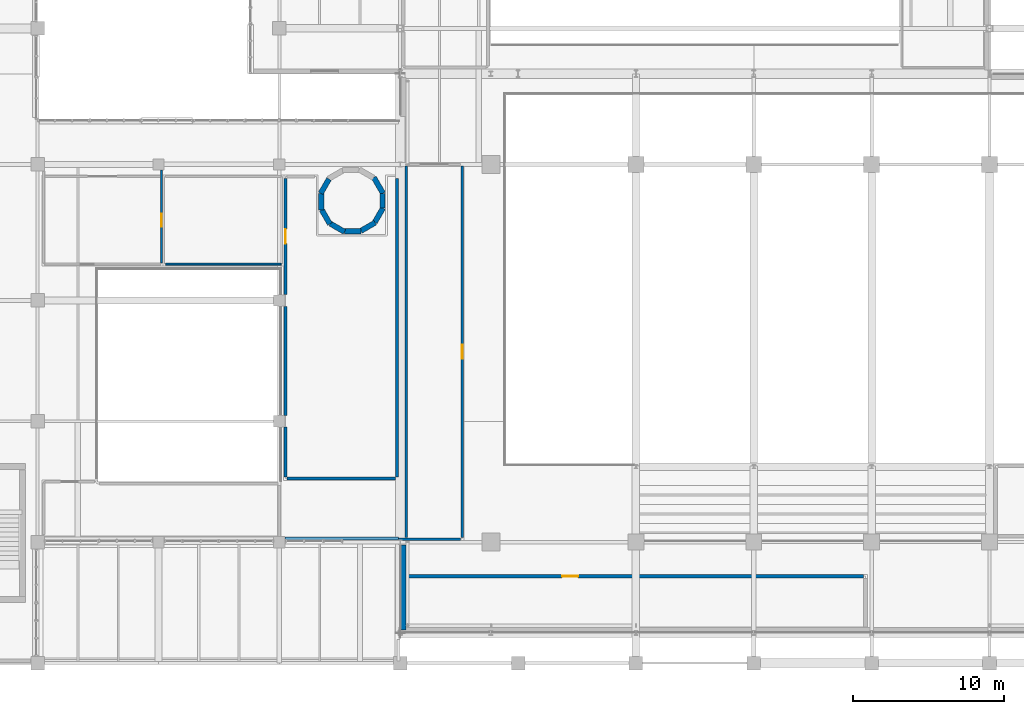
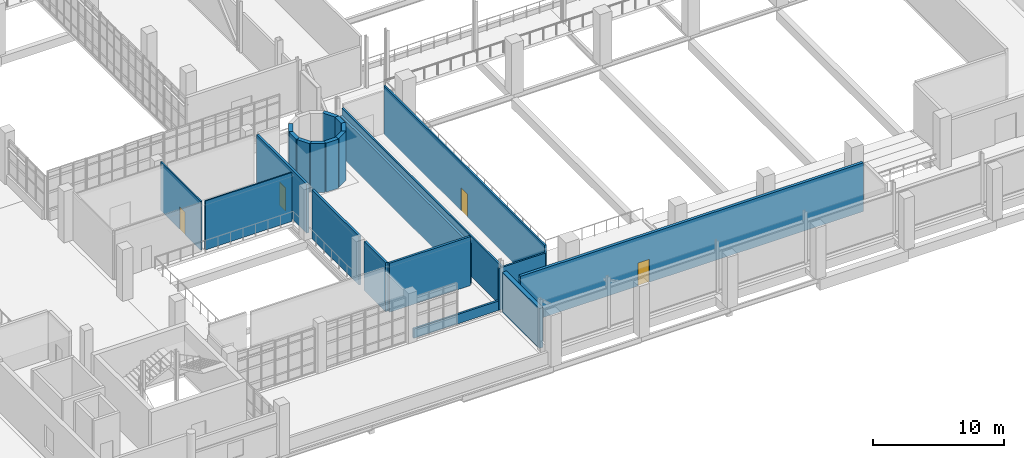
# One storey, part 90 of 102: 22 walls, 4 doors, 4 openings.
"""IFC4 building model written with IfcOpenShell, lengths in metres."""

from ifc_helpers import new_model, si_unit, derived_unit, direction, frame, frame_2d, origin, place, context, subcontext, project, spatial, rectangle, extrude, material, layer, layer_set, type_object, element, fill, save


model = new_model("IFC4")

# Units and contexts
model_context = context("Model", 3, precision=1e-05, world=origin(), true_north=direction((0.0, 1.0)))
body_context = subcontext(model_context, "Body", "Model", "MODEL_VIEW")
ifc_project = project(units=[si_unit("LENGTHUNIT", "METRE"), si_unit("AREAUNIT", "SQUARE_METRE"), si_unit("VOLUMEUNIT", "CUBIC_METRE"), si_unit("PLANEANGLEUNIT", "RADIAN"), si_unit("MASSUNIT", "GRAM", prefix="KILO"), derived_unit("THERMALTRANSMITTANCEUNIT", [(si_unit("POWERUNIT", "WATT"), 1), (si_unit("LENGTHUNIT", "METRE"), -2), (si_unit("THERMODYNAMICTEMPERATUREUNIT", "KELVIN"), -1)])], contexts=[model_context])

# Site, building, storey
site_placement = place(None, origin())
site = spatial("IfcSite", under=ifc_project, at=site_placement, CompositionType="ELEMENT")
building_placement = place(site_placement, origin())
building = spatial("IfcBuilding", under=site, at=building_placement, Name="Nallur Shell Playhouse", CompositionType="ELEMENT")
storey_placement = place(building_placement, frame((0.0, 0.0, 15.0)))
storey = spatial("IfcBuildingStorey", under=building, at=storey_placement, Name="L04", CompositionType="ELEMENT", Elevation=15.0)

# Walls
ifc_material_1 = material(Name="Concrete M45", Category="concrete")
ifc_layer_1 = layer(ifc_material_1, 0.39990234375)
ifc_layer_set_1 = layer_set([ifc_layer_1], Name="Concrete M45")
wall_type_1 = type_object("IfcWallType", Name="WL-CORE-400", PredefinedType="SHEAR", material=ifc_layer_set_1)
wall_1_placement = place(storey_placement, frame((62.861328125, 39.08642578125, 0.0), z_axis=(0.0, 0.0, 1.0), x_axis=(-0.499930512259, 0.866065518833, 0.0)))
element("IfcWall", 1, at=wall_1_placement, inside=storey, type_object=wall_type_1, Name="Metabolist service drum DR-1 facet 1 (L04)", PredefinedType="SHEAR", context=body_context, shape_type="SweptSolid", body=[
    extrude(rectangle(XDim=1.218994140625, YDim=0.35009765625, at=frame_2d((0.609375, 0.0))), origin(), (0.0, 0.0, 1.0), 4.580078125),
])
for number, where, z_axis, x_axis, name in (
    (2, (59.28515625, 40.032958984375, 0.0), (0.0, 0.0, 1.0), (-0.500102687236, -0.865966109163, 0.0), "Metabolist service drum DR-1 facet 5 (L04)"),
    (3, (58.771484375, 39.08349609375, 0.0), (0.0, 0.0, 1.0), (0.0, -1.0, 0.0), "Metabolist service drum DR-1 facet 6 (L04)"),
    (4, (58.801513671875, 38.00439453125, 0.0), (0.0, 0.0, 1.0), (0.500102687236, -0.865966109163, 0.0), "Metabolist service drum DR-1 facet 7 (L04)"),
):
    element("IfcWall", number, at=place(storey_placement, frame(where, z_axis=z_axis, x_axis=x_axis)), inside=storey, type_object=wall_type_1, Name=name, PredefinedType="SHEAR", context=body_context, shape_type="SweptSolid", body=[
        extrude(rectangle(XDim=1.093017578125, YDim=0.35009765625, at=frame_2d((0.54638671875, 0.0))), origin(), (0.0, 0.0, 1.0), 4.580078125),
    ])
wall_2_placement = place(storey_placement, frame((59.366943359375, 37.085205078125, 0.0), z_axis=(0.0, 0.0, 1.0), x_axis=(0.866021955858, -0.500005971936, 0.0)))
element("IfcWall", 5, at=wall_2_placement, inside=storey, type_object=wall_type_1, Name="Metabolist service drum DR-1 facet 8 (L04)", PredefinedType="SHEAR", context=body_context, shape_type="SweptSolid", body=[
    extrude(rectangle(XDim=1.09326171875, YDim=0.35009765625, at=frame_2d((0.546630859375, 0.0))), origin(), (0.0, 0.0, 1.0), 4.580078125),
])
for number, where, z_axis, x_axis, name in (
    (6, (60.31640625, 36.571533203125, 0.0), (0.0, 0.0, 1.0), (1.0, 0.0, 0.0), "Metabolist service drum DR-1 facet 9 (L04)"),
    (7, (61.3955078125, 36.6015625, 0.0), (0.0, 0.0, 1.0), (0.865966109163, 0.500102687236, 0.0), "Metabolist service drum DR-1 facet 10 (L04)"),
    (8, (62.31494140625, 37.1669921875, 0.0), (0.0, 0.0, 1.0), (0.499935162227, 0.866062834654, 0.0), "Metabolist service drum DR-1 facet 11 (L04)"),
):
    element("IfcWall", number, at=place(storey_placement, frame(where, z_axis=z_axis, x_axis=x_axis)), inside=storey, type_object=wall_type_1, Name=name, PredefinedType="SHEAR", context=body_context, shape_type="SweptSolid", body=[
        extrude(rectangle(XDim=1.093017578125, YDim=0.35009765625, at=frame_2d((0.54638671875, 0.0))), origin(), (0.0, 0.0, 1.0), 4.580078125),
    ])
wall_3_placement = place(storey_placement, frame((62.828369140625, 38.116455078125, 0.0), z_axis=(0.0, 0.0, 1.0), x_axis=(0.0, 1.0, 0.0)))
element("IfcWall", 9, at=wall_3_placement, inside=storey, type_object=wall_type_1, Name="Metabolist service drum DR-1 facet 12 (L04)", PredefinedType="SHEAR", context=body_context, shape_type="SweptSolid", body=[
    extrude(rectangle(XDim=0.967041015625, YDim=0.35009765625, at=frame_2d((0.4833984375, 0.0))), origin(), (0.0, 0.0, 1.0), 4.580078125),
])
ifc_material_2 = material(Name="Concrete M35", Category="concrete")
ifc_layer_2 = layer(ifc_material_2, 0.35009765625)
ifc_layer_set_2 = layer_set([ifc_layer_2], Name="Concrete M35")
wall_type_2 = type_object("IfcWallType", Name="WL-EXT-AC350", PredefinedType="STANDARD", material=ifc_layer_set_2)
wall_4_placement = place(storey_placement, frame((64.195068359375, 10.18505859375, 0.0), z_axis=(0.0, 0.0, 1.0), x_axis=(0.0, 1.0, 0.0)))
element("IfcWall", 10, at=wall_4_placement, inside=storey, type_object=wall_type_2, Name="L04 exterior wall EW-L04-192", PredefinedType="STANDARD", context=body_context, shape_type="SweptSolid", body=[
    extrude(rectangle(XDim=5.6298828125, YDim=0.35009765625, at=frame_2d((2.81494140625, 0.0))), origin(), (0.0, 0.0, 1.0), 3.735107421875),
])
ifc_layer_3 = layer(ifc_material_2, 0.179931640625)
ifc_layer_set_3 = layer_set([ifc_layer_3], Name="Concrete M35")
wall_type_3 = type_object("IfcWallType", Name="WL-PARAPET-180", PredefinedType="PARAPET", material=ifc_layer_set_3)
wall_5_placement = place(storey_placement, frame((63.8798828125, 16.239990234375, 0.0), z_axis=(0.0, 0.0, 1.0), x_axis=(-1.0, 0.0, 0.0)))
element("IfcWall", 11, at=wall_5_placement, inside=storey, type_object=wall_type_3, Name="L04 curtain-wall internal spandrel upstand 053", PredefinedType="PARAPET", context=body_context, shape_type="SweptSolid", body=[
    extrude(rectangle(XDim=7.494873046875, YDim=0.179931640625, at=frame_2d((3.74755859375, 0.0))), origin(), (0.0, 0.0, 1.0), 0.8798828125),
])
ifc_material_3 = material(Name="Concrete M30", Category="concrete")
ifc_layer_4 = layer(ifc_material_3, 0.199951171875)
ifc_layer_set_4 = layer_set([ifc_layer_4], Name="Concrete M30")
wall_type_4 = type_object("IfcWallType", Name="WL-PART-AC200", PredefinedType="PARTITIONING", material=ifc_layer_set_4)
wall_6_placement = place(storey_placement, frame((63.800048828125, 40.080078125, 0.0), z_axis=(0.0, 0.0, 1.0), x_axis=(0.0, -1.0, 0.0)))
element("IfcWall", 12, at=wall_6_placement, inside=storey, type_object=wall_type_4, Name="Upper Circle Espresso & Refreshment Kiosk partition IW-L04-0297", PredefinedType="PARTITIONING", context=body_context, shape_type="SweptSolid", body=[
    extrude(rectangle(XDim=19.760009765625, YDim=0.199951171875, at=frame_2d((9.8798828125, 0.0))), origin(), (0.0, 0.0, 1.0), 3.72998046875),
])
wall_7_placement = place(storey_placement, frame((63.679931640625, 20.199951171875, 0.0), z_axis=(0.0, 0.0, 1.0), x_axis=(-1.0, 0.0, 0.0)))
element("IfcWall", 13, at=wall_7_placement, inside=storey, type_object=wall_type_4, Name="Upper Circle Espresso & Refreshment Kiosk partition IW-L04-0298", PredefinedType="PARTITIONING", context=body_context, shape_type="SweptSolid", body=[
    extrude(rectangle(XDim=7.159912109375, YDim=0.199951171875, at=frame_2d((3.580078125, 0.0))), origin(), (0.0, 0.0, 1.0), 4.570068359375),
])
wall_8_placement = place(storey_placement, frame((56.39990234375, 20.320068359375, 0.0), z_axis=(0.0, 0.0, 1.0), x_axis=(0.0, 1.0, 0.0)))
element("IfcWall", 14, at=wall_8_placement, inside=storey, type_object=wall_type_4, Name="Upper Circle Espresso & Refreshment Kiosk partition IW-L04-0299", PredefinedType="PARTITIONING", context=body_context, shape_type="SweptSolid", body=[
    extrude(rectangle(XDim=3.2900390625, YDim=0.199951171875, at=frame_2d((1.64501953125, 0.0))), origin(), (0.0, 0.0, 1.0), 4.570068359375),
])
wall_9_placement = place(storey_placement, frame((56.39990234375, 24.389892578125, 0.0), z_axis=(0.0, 0.0, 1.0), x_axis=(0.0, 1.0, 0.0)))
element("IfcWall", 15, at=wall_9_placement, inside=storey, type_object=wall_type_4, Name="Upper Circle Espresso & Refreshment Kiosk partition IW-L04-0300", PredefinedType="PARTITIONING", context=body_context, shape_type="SweptSolid", body=[
    extrude(rectangle(XDim=7.22021484375, YDim=0.199951171875, at=frame_2d((3.610107421875, 0.0))), origin(), (0.0, 0.0, 1.0), 4.570068359375),
])

# Wall, opening, door
wall_10_placement = place(storey_placement, frame((56.39990234375, 32.389892578125, 0.0), z_axis=(0.0, 0.0, 1.0), x_axis=(0.0, 1.0, 0.0)))
wall_10 = element("IfcWall", 16, at=wall_10_placement, inside=storey, type_object=wall_type_4, Name="Upper Circle Espresso & Refreshment Kiosk partition IW-L04-0301", PredefinedType="PARTITIONING", context=body_context, shape_type="SweptSolid", body=[
    extrude(rectangle(XDim=7.690185546875, YDim=0.199951171875, at=frame_2d((3.84521484375, 0.0))), origin(), (0.0, 0.0, 1.0), 4.570068359375),
])
opening_1_placement = place(wall_10_placement, frame((3.3701171875, 0.0, 0.0)))
opening_1 = element("IfcOpeningElement", 17, at=opening_1_placement, cuts=wall_10, Name="Opening ID-03", PredefinedType="OPENING", context=body_context, shape_type="SweptSolid", body=[
    extrude(rectangle(XDim=0.949951171875, YDim=2.14990234375, at=frame_2d((0.47509765625, 1.074951171875))), frame((0.0, 0.10986328125, 0.0), z_axis=(0.0, -1.0, 0.0), x_axis=(1.0, 0.0, 0.0)), (0.0, 0.0, 1.0), 0.219970703125),
])
ifc_material_4 = material(Name="Solid-Core Engineered Timber Door", Category="wood")
door_type_1 = type_object("IfcDoorType", Name="DR-INT-SGL950L", OperationType="SINGLE_SWING_LEFT", PredefinedType="DOOR", material=ifc_material_4)
door_1_placement = place(opening_1_placement, origin())
door_1 = element("IfcDoor", 18, at=door_1_placement, inside=storey, type_object=door_type_1, Name="Upper Circle Espresso & Refreshment Kiosk door 1", OperationType="SINGLE_SWING_LEFT", OverallHeight=2.14990234375, OverallWidth=0.949951171875, PredefinedType="DOOR", context=body_context, shape_type="SweptSolid", body=[
    extrude(rectangle(XDim=0.949951171875, YDim=2.14990234375, at=frame_2d((0.47509765625, 1.074951171875))), frame((0.0, 0.02490234375, 0.0), z_axis=(0.0, -1.0, 0.0), x_axis=(1.0, 0.0, 0.0)), (0.0, 0.0, 1.0), 0.050048828125),
])
fill(opening_1, door_1)

ifc_layer_5 = layer(ifc_material_3, 0.25)
ifc_layer_set_5 = layer_set([ifc_layer_5], Name="Concrete M30")
wall_type_5 = type_object("IfcWallType", Name="WL-PART-AC250", PredefinedType="PARTITIONING", material=ifc_layer_set_5)
wall_11_placement = place(storey_placement, frame((64.3740234375, 13.75, 0.0), z_axis=(0.0, 0.0, 1.0), x_axis=(1.0, 0.0, 0.0)))
wall_11 = element("IfcWall", 19, at=wall_11_placement, inside=storey, type_object=wall_type_5, Name="Main Theatre Sound, Lighting & Projection Booths partition IW-L04-0285", PredefinedType="PARTITIONING", context=body_context, shape_type="SweptSolid", body=[
    extrude(rectangle(XDim=30.281005859375, YDim=0.25, at=frame_2d((15.140625, 0.0))), origin(), (0.0, 0.0, 1.0), 4.5400390625),
])
opening_2_placement = place(wall_11_placement, frame((10.342041015625, 0.0, 0.0)))
opening_2 = element("IfcOpeningElement", 20, at=opening_2_placement, cuts=wall_11, Name="Opening ID-01", PredefinedType="OPENING", context=body_context, shape_type="SweptSolid", body=[
    extrude(rectangle(XDim=1.050048828125, YDim=2.14990234375, at=frame_2d((0.52490234375, 1.074951171875))), frame((0.0, 0.135009765625, 0.0), z_axis=(0.0, -1.0, 0.0), x_axis=(1.0, 0.0, 0.0)), (0.0, 0.0, 1.0), 0.27001953125),
])
ifc_material_5 = material(Name="Solid-Core Engineered Timber Fire Door", Category="wood")
door_type_2 = type_object("IfcDoorType", Name="DR-INT-SGL1050L", OperationType="SINGLE_SWING_LEFT", PredefinedType="DOOR", material=ifc_material_5)
door_2_placement = place(opening_2_placement, origin())
door_2 = element("IfcDoor", 21, at=door_2_placement, inside=storey, type_object=door_type_2, Name="Main Theatre Sound, Lighting & Projection Booths door 1", OperationType="SINGLE_SWING_LEFT", OverallHeight=2.14990234375, OverallWidth=1.050048828125, PredefinedType="DOOR", context=body_context, shape_type="SweptSolid", body=[
    extrude(rectangle(XDim=1.050048828125, YDim=2.14990234375, at=frame_2d((0.52490234375, 1.074951171875))), frame((0.0, 0.02490234375, 0.0), z_axis=(0.0, -1.0, 0.0), x_axis=(1.0, 0.0, 0.0)), (0.0, 0.0, 1.0), 0.050048828125),
])
fill(opening_2, door_2)

ifc_material_6 = material(Name="Concrete M25 Fire Blockwork", Category="masonry")
ifc_layer_6 = layer(ifc_material_6, 0.14990234375)
ifc_layer_set_6 = layer_set([ifc_layer_6], Name="Concrete M25 Fire Blockwork")
wall_type_6 = type_object("IfcWallType", Name="WL-PART-FR150", PredefinedType="PARTITIONING", material=ifc_layer_set_6)
wall_12_placement = place(storey_placement, frame((68.10009765625, 40.905029296875, 0.0), z_axis=(0.0, 0.0, 1.0), x_axis=(0.0, -1.0, 0.0)))
wall_12 = element("IfcWall", 22, at=wall_12_placement, inside=storey, type_object=wall_type_6, Name="Upper Circle Donors & Composers Lounge partition IW-L04-0286", PredefinedType="PARTITIONING", context=body_context, shape_type="SweptSolid", body=[
    extrude(rectangle(XDim=24.610107421875, YDim=0.14990234375, at=frame_2d((12.30517578125, 0.0))), origin(), (0.0, 0.0, 1.0), 4.5400390625),
])
opening_3_placement = place(wall_12_placement, frame((11.830078125, 0.0, 0.0)))
opening_3 = element("IfcOpeningElement", 23, at=opening_3_placement, cuts=wall_12, Name="Opening ID-04", PredefinedType="OPENING", context=body_context, shape_type="SweptSolid", body=[
    extrude(rectangle(XDim=0.949951171875, YDim=2.14990234375, at=frame_2d((0.47509765625, 1.074951171875))), frame((0.0, 0.0849609375, 0.0), z_axis=(0.0, -1.0, 0.0), x_axis=(1.0, 0.0, 0.0)), (0.0, 0.0, 1.0), 0.169921875),
])
door_type_3 = type_object("IfcDoorType", Name="DR-INT-SGL950R", OperationType="SINGLE_SWING_RIGHT", PredefinedType="DOOR", material=ifc_material_4)
door_3_placement = place(opening_3_placement, origin())
door_3 = element("IfcDoor", 24, at=door_3_placement, inside=storey, type_object=door_type_3, Name="Upper Circle Donors & Composers Lounge door 1", OperationType="SINGLE_SWING_RIGHT", OverallHeight=2.14990234375, OverallWidth=0.949951171875, PredefinedType="DOOR", context=body_context, shape_type="SweptSolid", body=[
    extrude(rectangle(XDim=0.949951171875, YDim=2.14990234375, at=frame_2d((0.47509765625, 1.074951171875))), frame((0.0, 0.02490234375, 0.0), z_axis=(0.0, -1.0, 0.0), x_axis=(1.0, 0.0, 0.0)), (0.0, 0.0, 1.0), 0.050048828125),
])
fill(opening_3, door_3)

# Walls
wall_13_placement = place(storey_placement, frame((68.0048828125, 16.199951171875, 0.0), z_axis=(0.0, 0.0, 1.0), x_axis=(-1.0, 0.0, 0.0)))
element("IfcWall", 25, at=wall_13_placement, inside=storey, type_object=wall_type_6, Name="Upper Circle Donors & Composers Lounge partition IW-L04-0287", PredefinedType="PARTITIONING", context=body_context, shape_type="SweptSolid", body=[
    extrude(rectangle(XDim=4.120849609375, YDim=0.14990234375, at=frame_2d((2.060546875, 0.0))), origin(), (0.0, 0.0, 1.0), 3.929931640625),
])
wall_14_placement = place(storey_placement, frame((64.39990234375, 16.294921875, 0.0), z_axis=(0.0, 0.0, 1.0), x_axis=(0.0, 1.0, 0.0)))
element("IfcWall", 26, at=wall_14_placement, inside=storey, type_object=wall_type_6, Name="Upper Circle Donors & Composers Lounge partition IW-L04-0288", PredefinedType="PARTITIONING", context=body_context, shape_type="SweptSolid", body=[
    extrude(rectangle(XDim=24.610107421875, YDim=0.14990234375, at=frame_2d((12.30517578125, 0.0))), origin(), (0.0, 0.0, 1.0), 3.72998046875),
])

# Wall, opening, door
ifc_layer_7 = layer(ifc_material_6, 0.1201171875)
ifc_layer_set_7 = layer_set([ifc_layer_7], Name="Concrete M25 Fire Blockwork")
wall_type_7 = type_object("IfcWallType", Name="WL-PART-WET120", PredefinedType="PARTITIONING", material=ifc_layer_set_7)
wall_15_placement = place(storey_placement, frame((48.199951171875, 40.62109375, 0.0), z_axis=(0.0, 0.0, 1.0), x_axis=(0.0, -1.0, 0.0)))
wall_15 = element("IfcWall", 27, at=wall_15_placement, inside=storey, type_object=wall_type_7, Name="Upper Circle Male Restroom partition IW-L04-0332", PredefinedType="PARTITIONING", context=body_context, shape_type="SweptSolid", body=[
    extrude(rectangle(XDim=6.14111328125, YDim=0.1201171875, at=frame_2d((3.070556640625, 0.0))), origin(), (0.0, 0.0, 1.0), 4.570068359375),
])
opening_4_placement = place(wall_15_placement, frame((2.881103515625, 0.0, 0.0)))
opening_4 = element("IfcOpeningElement", 28, at=opening_4_placement, cuts=wall_15, Name="Opening WD-02", PredefinedType="OPENING", context=body_context, shape_type="SweptSolid", body=[
    extrude(rectangle(XDim=0.8798828125, YDim=2.10009765625, at=frame_2d((0.43994140625, 1.050048828125))), frame((0.0, 0.070068359375, 0.0), z_axis=(0.0, -1.0, 0.0), x_axis=(1.0, 0.0, 0.0)), (0.0, 0.0, 1.0), 0.14013671875),
])
ifc_material_7 = material(Name="Moisture-Resistant Laminate Restroom Door")
door_type_4 = type_object("IfcDoorType", Name="DR-INT-WC880R", OperationType="SINGLE_SWING_RIGHT", PredefinedType="DOOR", material=ifc_material_7)
door_4_placement = place(opening_4_placement, origin())
door_4 = element("IfcDoor", 29, at=door_4_placement, inside=storey, type_object=door_type_4, Name="Upper Circle Female Restroom door 1", OperationType="SINGLE_SWING_RIGHT", OverallHeight=2.10009765625, OverallWidth=0.8798828125, PredefinedType="DOOR", context=body_context, shape_type="SweptSolid", body=[
    extrude(rectangle(XDim=0.8798828125, YDim=2.10009765625, at=frame_2d((0.43994140625, 1.050048828125))), frame((0.0, 0.02490234375, 0.0), z_axis=(0.0, -1.0, 0.0), x_axis=(1.0, 0.0, 0.0)), (0.0, 0.0, 1.0), 0.050048828125),
])
fill(opening_4, door_4)

# Wall
wall_16_placement = place(storey_placement, frame((56.1201171875, 34.39990234375, 0.0), z_axis=(0.0, 0.0, 1.0), x_axis=(-1.0, 0.0, 0.0)))
element("IfcWall", 30, at=wall_16_placement, inside=storey, type_object=wall_type_7, Name="Upper Circle Female Restroom partition IW-L04-0336", PredefinedType="PARTITIONING", context=body_context, shape_type="SweptSolid", body=[
    extrude(rectangle(XDim=7.64013671875, YDim=0.1201171875, at=frame_2d((3.820068359375, 0.0))), origin(), (0.0, 0.0, 1.0), 4.570068359375),
])

save(model, "model.ifc")
